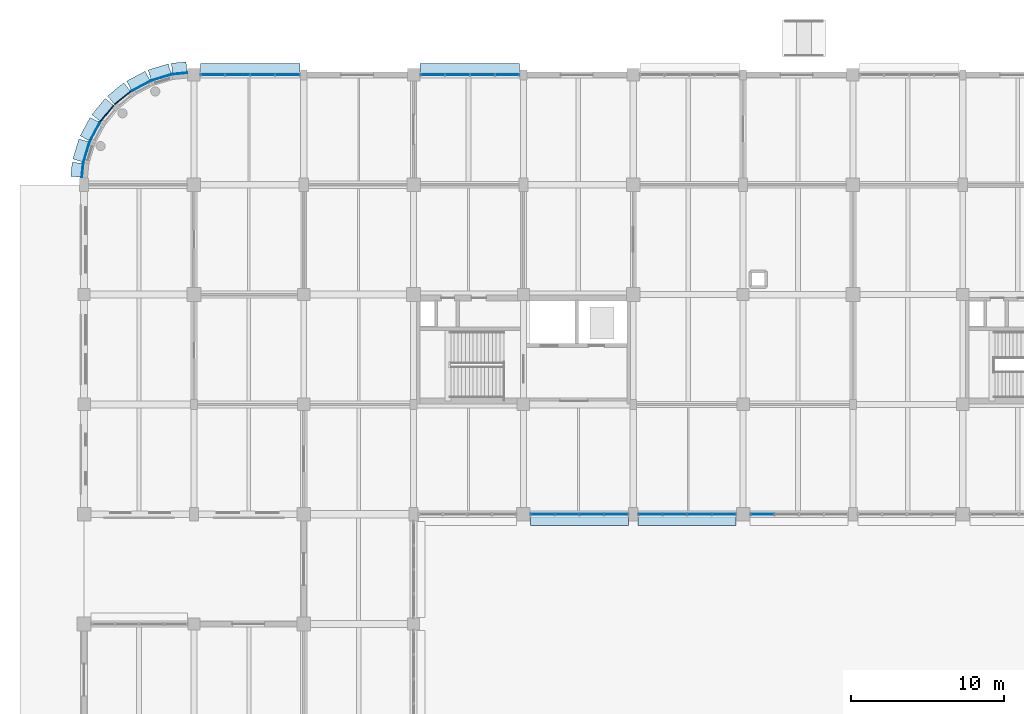
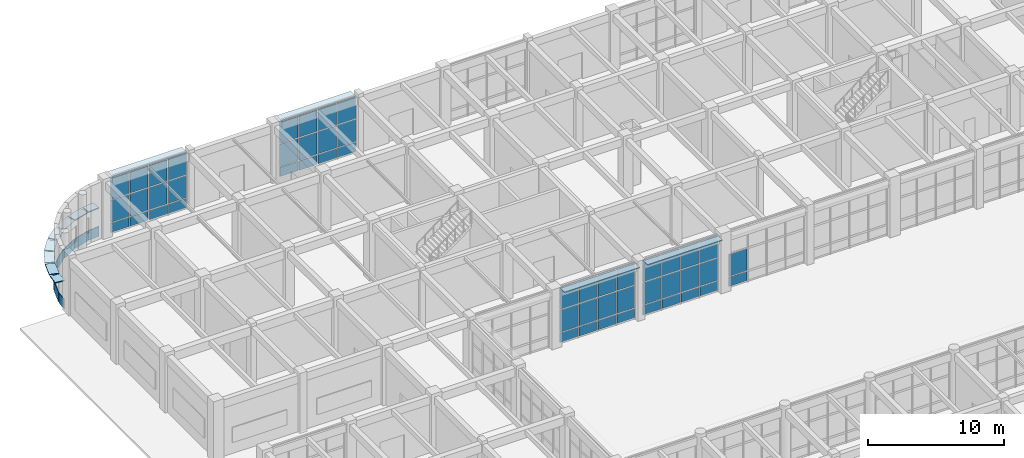
# One storey, part 124 of 160: 70 plates, 5 elements without a shape of their own.
"""IFC4 building model written with IfcOpenShell, lengths in metres."""

from ifc_helpers import new_model, si_unit, direction, frame, origin, origin_2d, place, context, subcontext, project, spatial, rectangle, extrude, material, layer, layer_set, type_object, element, aggregate, save


model = new_model("IFC4")

# Units and contexts
model_context = context("Model", 3, precision=1e-05, world=origin(), true_north=direction((0.0, 1.0)))
body_context = subcontext(model_context, "Body", "Model", "MODEL_VIEW")
ifc_project = project(units=[si_unit("LENGTHUNIT", "METRE"), si_unit("AREAUNIT", "SQUARE_METRE"), si_unit("VOLUMEUNIT", "CUBIC_METRE"), si_unit("PLANEANGLEUNIT", "RADIAN"), si_unit("MASSUNIT", "GRAM", prefix="KILO")], contexts=[model_context])

# Site, building, storey
site_placement = place(None, origin())
site = spatial("IfcSite", under=ifc_project, at=site_placement, CompositionType="ELEMENT")
building_placement = place(site_placement, origin())
building = spatial("IfcBuilding", under=site, at=building_placement, Name="Thalmaran Polytechnic", CompositionType="ELEMENT")
storey_placement = place(building_placement, origin())
storey = spatial("IfcBuildingStorey", under=building, at=storey_placement, Name="L00", CompositionType="ELEMENT", Elevation=0.0)

# Plates
ifc_material_1 = material(Name="Anodised aluminium spandrel band", Category="aluminium")
ifc_layer_1 = layer(ifc_material_1, 0.054931640625, Name="Anodised aluminium spandrel band")
ifc_layer_set_1 = layer_set([ifc_layer_1], Name="Anodised aluminium spandrel band")
plate_type_1 = type_object("IfcPlateType", Name="PT-BD01", PredefinedType="SHEET", material=ifc_layer_set_1)
plate_1_placement = place(storey_placement, frame((-0.102783203125, 116.145263671875, 0.02001953125), z_axis=(0.0, 0.0, 1.0), x_axis=(0.09801714033, 0.995184726672, 0.0)))
element("IfcPlate", 1, at=plate_1_placement, inside=storey, type_object=plate_type_1, Name="Streamline Horizontal Spandrel Band L00-021", PredefinedType="SHEET", context=body_context, shape_type="SweptSolid", body=[
    extrude(rectangle(XDim=0.92138671875, YDim=0.054931640625, at=origin_2d()), origin(), (0.0, 0.0, 1.0), 0.8798828125),
])
for number, where, z_axis, x_axis, name in (
    (2, (0.156494140625, 117.336669921875, 0.02001953125), (0.0, 0.0, 1.0), (0.290284677254, 0.956940335732, 0.0), "Streamline Horizontal Spandrel Band L00-022"),
    (3, (0.708740234375, 118.669677734375, 0.02001953125), (0.0, 0.0, 1.0), (0.471396736826, 0.881921264348, 0.0), "Streamline Horizontal Spandrel Band L00-023"),
    (4, (1.510498046875, 119.869384765625, 0.02001953125), (0.0, 0.0, 1.0), (0.634393284164, 0.773010453363, 0.0), "Streamline Horizontal Spandrel Band L00-024"),
    (5, (2.53076171875, 120.8896484375, 0.02001953125), (0.0, 0.0, 1.0), (0.773010453363, 0.634393284164, 0.0), "Streamline Horizontal Spandrel Band L00-025"),
    (6, (3.737548828125, 121.677978515625, 0.02001953125), (0.0, 0.0, 1.0), (0.881921264348, 0.471396736826, 0.0), "Streamline Horizontal Spandrel Band L00-026"),
    (7, (5.06787109375, 122.22900390625, 0.02001953125), (0.0, 0.0, 1.0), (0.956940335732, 0.290284677254, 0.0), "Streamline Horizontal Spandrel Band L00-027"),
):
    element("IfcPlate", number, at=place(storey_placement, frame(where, z_axis=z_axis, x_axis=x_axis)), inside=storey, type_object=plate_type_1, Name=name, PredefinedType="SHEET", context=body_context, shape_type="SweptSolid", body=[
        extrude(rectangle(XDim=1.371337890625, YDim=0.054931640625, at=origin_2d()), origin(), (0.0, 0.0, 1.0), 0.8798828125),
    ])
plate_2_placement = place(storey_placement, frame((6.276123046875, 122.48974609375, 0.02001953125), z_axis=(0.0, 0.0, 1.0), x_axis=(0.995184726672, 0.09801714033, 0.0)))
element("IfcPlate", 8, at=plate_2_placement, inside=storey, type_object=plate_type_1, Name="Streamline Horizontal Spandrel Band L00-028", PredefinedType="SHEET", context=body_context, shape_type="SweptSolid", body=[
    extrude(rectangle(XDim=0.96142578125, YDim=0.054931640625, at=origin_2d()), origin(), (0.0, 0.0, 1.0), 0.8798828125),
])
ifc_material_2 = material(Name="Anodised aluminium sun-hood eyebrow", Category="aluminium")
ifc_layer_2 = layer(ifc_material_2, 0.0849609375, Name="Anodised aluminium sun-hood eyebrow")
ifc_layer_set_2 = layer_set([ifc_layer_2], Name="Anodised aluminium sun-hood eyebrow")
plate_type_2 = type_object("IfcPlateType", Name="PT-EB01", PredefinedType="SHEET", material=ifc_layer_set_2)
plate_3_placement = place(storey_placement, frame((-0.4462890625, 116.17919921875, 2.517578125), z_axis=(0.0, 0.0, 1.0), x_axis=(0.09801714033, 0.995184726672, 0.0)))
element("IfcPlate", 9, at=plate_3_placement, inside=storey, type_object=plate_type_2, Name="Streamline Sun-Hood Eyebrow L00-021", PredefinedType="SHEET", context=body_context, shape_type="SweptSolid", body=[
    extrude(rectangle(XDim=0.92138671875, YDim=0.760009765625, at=origin_2d()), origin(), (0.0, 0.0, 1.0), 0.0849609375),
])
for number, where, z_axis, x_axis, name in (
    (10, (-0.173583984375, 117.436767578125, 2.517578125), (0.0, 0.0, 1.0), (0.290284677254, 0.956940335732, 0.0), "Streamline Sun-Hood Eyebrow L00-022"),
    (11, (0.404541015625, 118.832275390625, 2.517578125), (0.0, 0.0, 1.0), (0.471396736826, 0.881921264348, 0.0), "Streamline Sun-Hood Eyebrow L00-023"),
    (12, (1.24365234375, 120.088134765625, 2.517578125), (0.0, 0.0, 1.0), (0.634393284164, 0.773010453363, 0.0), "Streamline Sun-Hood Eyebrow L00-024"),
    (13, (2.311767578125, 121.15625, 2.517578125), (0.0, 0.0, 1.0), (0.773010453363, 0.634393284164, 0.0), "Streamline Sun-Hood Eyebrow L00-025"),
    (14, (3.57470703125, 121.982177734375, 2.517578125), (0.0, 0.0, 1.0), (0.881921264348, 0.471396736826, 0.0), "Streamline Sun-Hood Eyebrow L00-026"),
    (15, (4.967529296875, 122.55908203125, 2.517578125), (0.0, 0.0, 1.0), (0.956940335732, 0.290284677254, 0.0), "Streamline Sun-Hood Eyebrow L00-027"),
):
    element("IfcPlate", number, at=place(storey_placement, frame(where, z_axis=z_axis, x_axis=x_axis)), inside=storey, type_object=plate_type_2, Name=name, PredefinedType="SHEET", context=body_context, shape_type="SweptSolid", body=[
        extrude(rectangle(XDim=1.371337890625, YDim=0.760009765625, at=origin_2d()), origin(), (0.0, 0.0, 1.0), 0.0849609375),
    ])
plate_4_placement = place(storey_placement, frame((6.2421875, 122.833251953125, 2.517578125), z_axis=(0.0, 0.0, 1.0), x_axis=(0.995184726672, 0.09801714033, 0.0)))
element("IfcPlate", 16, at=plate_4_placement, inside=storey, type_object=plate_type_2, Name="Streamline Sun-Hood Eyebrow L00-028", PredefinedType="SHEET", context=body_context, shape_type="SweptSolid", body=[
    extrude(rectangle(XDim=0.96142578125, YDim=0.760009765625, at=origin_2d()), origin(), (0.0, 0.0, 1.0), 0.0849609375),
])
for number, where, z_axis, x_axis, name in (
    (17, (10.892578125, 122.760009765625, 4.987548828125), (0.0, 0.0, 1.0), (1.0, 0.0, 0.0), "Streamline Sun-Hood Eyebrow L00-CW002"),
    (18, (25.29248046875, 122.760009765625, 4.987548828125), (0.0, 0.0, 1.0), (1.0, 0.0, 0.0), "Streamline Sun-Hood Eyebrow L00-CW003"),
):
    element("IfcPlate", number, at=place(storey_placement, frame(where, z_axis=z_axis, x_axis=x_axis)), inside=storey, type_object=plate_type_2, Name=name, PredefinedType="SHEET", context=body_context, shape_type="SweptSolid", body=[
        extrude(rectangle(XDim=6.52490234375, YDim=0.760009765625, at=origin_2d()), origin(), (0.0, 0.0, 1.0), 0.0849609375),
    ])
for number, where, z_axis, x_axis, name in (
    (19, (39.530029296875, 93.239990234375, 4.987548828125), (0.0, 0.0, 1.0), (-1.0, 0.0, 0.0), "Streamline Sun-Hood Eyebrow L00-CW020"),
    (20, (32.469970703125, 93.239990234375, 4.987548828125), (0.0, 0.0, 1.0), (-1.0, 0.0, 0.0), "Streamline Sun-Hood Eyebrow L00-CW021"),
):
    element("IfcPlate", number, at=place(storey_placement, frame(where, z_axis=z_axis, x_axis=x_axis)), inside=storey, type_object=plate_type_2, Name=name, PredefinedType="SHEET", context=body_context, shape_type="SweptSolid", body=[
        extrude(rectangle(XDim=6.419921875, YDim=0.760009765625, at=origin_2d()), origin(), (0.0, 0.0, 1.0), 0.0849609375),
    ])

# Curtain wall, plates
ifc_material_3 = material(Name="Aluminium 6063-T6", Category="aluminium")
curtain_wall_type = type_object("IfcCurtainWallType", Name="CW-UC01", PredefinedType="USERDEFINED", material=ifc_material_3)
curtain_wall_1_placement = place(storey_placement, origin())
curtain_wall_1 = element("IfcCurtainWall", 21, at=curtain_wall_1_placement, inside=storey, type_object=curtain_wall_type, Name="Curtain Wall CW-L00-020", ObjectType="UNITISED CURTAIN WALL", PredefinedType="USERDEFINED")
ifc_material_4 = material(Name="Solar-control double low-E glass", Category="glass")
ifc_layer_3 = layer(ifc_material_4, 0.035888671875, Name="Solar-control double low-E glass")
ifc_layer_set_3 = layer_set([ifc_layer_3], Name="Solar-control double low-E glass")
plate_type_3 = type_object("IfcPlateType", Name="PT-GL01", PredefinedType="CURTAIN_PANEL", material=ifc_layer_set_3)
plate_5_placement = place(storey_placement, frame((41.952392578125, 93.60009765625, 1.0), z_axis=(0.0, 0.0, 1.0), x_axis=(-1.0, 0.0, 0.0)))
plate_5 = element("IfcPlate", 22, at=plate_5_placement, type_object=plate_type_3, Name="CW-L00-020 Vision Panel 1-2", PredefinedType="CURTAIN_PANEL", context=body_context, shape_type="SweptSolid", body=[
    extrude(rectangle(XDim=1.514892578125, YDim=0.035888671875, at=origin_2d()), origin(), (0.0, 0.0, 1.0), 1.985107421875),
])
plate_6_placement = place(storey_placement, frame((41.952392578125, 93.60009765625, 3.06494140625), z_axis=(0.0, 0.0, 1.0), x_axis=(-1.0, 0.0, 0.0)))
plate_6 = element("IfcPlate", 23, at=plate_6_placement, type_object=plate_type_3, Name="CW-L00-020 Vision Panel 1-3", PredefinedType="CURTAIN_PANEL", context=body_context, shape_type="SweptSolid", body=[
    extrude(rectangle(XDim=1.514892578125, YDim=0.035888671875, at=origin_2d()), origin(), (0.0, 0.0, 1.0), 1.925048828125),
])
plate_7_placement = place(storey_placement, frame((40.33740234375, 93.60009765625, 1.0), z_axis=(0.0, 0.0, 1.0), x_axis=(-1.0, 0.0, 0.0)))
plate_7 = element("IfcPlate", 24, at=plate_7_placement, type_object=plate_type_3, Name="CW-L00-020 Vision Panel 2-2", PredefinedType="CURTAIN_PANEL", context=body_context, shape_type="SweptSolid", body=[
    extrude(rectangle(XDim=1.514892578125, YDim=0.035888671875, at=origin_2d()), origin(), (0.0, 0.0, 1.0), 1.985107421875),
])
plate_8_placement = place(storey_placement, frame((40.33740234375, 93.60009765625, 3.06494140625), z_axis=(0.0, 0.0, 1.0), x_axis=(-1.0, 0.0, 0.0)))
plate_8 = element("IfcPlate", 25, at=plate_8_placement, type_object=plate_type_3, Name="CW-L00-020 Vision Panel 2-3", PredefinedType="CURTAIN_PANEL", context=body_context, shape_type="SweptSolid", body=[
    extrude(rectangle(XDim=1.514892578125, YDim=0.035888671875, at=origin_2d()), origin(), (0.0, 0.0, 1.0), 1.925048828125),
])
plate_9_placement = place(storey_placement, frame((38.722412109375, 93.60009765625, 1.0), z_axis=(0.0, 0.0, 1.0), x_axis=(-1.0, 0.0, 0.0)))
plate_9 = element("IfcPlate", 26, at=plate_9_placement, type_object=plate_type_3, Name="CW-L00-020 Vision Panel 3-2", PredefinedType="CURTAIN_PANEL", context=body_context, shape_type="SweptSolid", body=[
    extrude(rectangle(XDim=1.514892578125, YDim=0.035888671875, at=origin_2d()), origin(), (0.0, 0.0, 1.0), 1.985107421875),
])
plate_10_placement = place(storey_placement, frame((38.722412109375, 93.60009765625, 3.06494140625), z_axis=(0.0, 0.0, 1.0), x_axis=(-1.0, 0.0, 0.0)))
plate_10 = element("IfcPlate", 27, at=plate_10_placement, type_object=plate_type_3, Name="CW-L00-020 Vision Panel 3-3", PredefinedType="CURTAIN_PANEL", context=body_context, shape_type="SweptSolid", body=[
    extrude(rectangle(XDim=1.514892578125, YDim=0.035888671875, at=origin_2d()), origin(), (0.0, 0.0, 1.0), 1.925048828125),
])
plate_11_placement = place(storey_placement, frame((37.107421875, 93.60009765625, 1.0), z_axis=(0.0, 0.0, 1.0), x_axis=(-1.0, 0.0, 0.0)))
plate_11 = element("IfcPlate", 28, at=plate_11_placement, type_object=plate_type_3, Name="CW-L00-020 Vision Panel 4-2", PredefinedType="CURTAIN_PANEL", context=body_context, shape_type="SweptSolid", body=[
    extrude(rectangle(XDim=1.514892578125, YDim=0.035888671875, at=origin_2d()), origin(), (0.0, 0.0, 1.0), 1.985107421875),
])
plate_12_placement = place(storey_placement, frame((37.107421875, 93.60009765625, 3.06494140625), z_axis=(0.0, 0.0, 1.0), x_axis=(-1.0, 0.0, 0.0)))
plate_12 = element("IfcPlate", 29, at=plate_12_placement, type_object=plate_type_3, Name="CW-L00-020 Vision Panel 4-3", PredefinedType="CURTAIN_PANEL", context=body_context, shape_type="SweptSolid", body=[
    extrude(rectangle(XDim=1.514892578125, YDim=0.035888671875, at=origin_2d()), origin(), (0.0, 0.0, 1.0), 1.925048828125),
])

curtain_wall_2_placement = place(storey_placement, origin())
curtain_wall_2 = element("IfcCurtainWall", 30, at=curtain_wall_2_placement, inside=storey, type_object=curtain_wall_type, Name="Curtain Wall CW-L00-021", ObjectType="UNITISED CURTAIN WALL", PredefinedType="USERDEFINED")
ifc_layer_4 = layer(ifc_material_4, 0.035888671875, Name="Solar-control double low-E glass")
ifc_layer_set_4 = layer_set([ifc_layer_4], Name="Solar-control double low-E glass")
plate_type_4 = type_object("IfcPlateType", Name="PT-GL02", PredefinedType="CURTAIN_PANEL", material=ifc_layer_set_4)
plate_13_placement = place(storey_placement, frame((34.892578125, 93.60009765625, 1.0), z_axis=(0.0, 0.0, 1.0), x_axis=(-1.0, 0.0, 0.0)))
plate_13 = element("IfcPlate", 31, at=plate_13_placement, type_object=plate_type_4, Name="CW-L00-021 Vision Panel 1-2", PredefinedType="CURTAIN_PANEL", context=body_context, shape_type="SweptSolid", body=[
    extrude(rectangle(XDim=1.514892578125, YDim=0.035888671875, at=origin_2d()), origin(), (0.0, 0.0, 1.0), 1.985107421875),
])
plate_14_placement = place(storey_placement, frame((34.892578125, 93.60009765625, 3.06494140625), z_axis=(0.0, 0.0, 1.0), x_axis=(-1.0, 0.0, 0.0)))
plate_14 = element("IfcPlate", 32, at=plate_14_placement, type_object=plate_type_4, Name="CW-L00-021 Vision Panel 1-3", PredefinedType="CURTAIN_PANEL", context=body_context, shape_type="SweptSolid", body=[
    extrude(rectangle(XDim=1.514892578125, YDim=0.035888671875, at=origin_2d()), origin(), (0.0, 0.0, 1.0), 1.925048828125),
])
plate_15_placement = place(storey_placement, frame((33.277587890625, 93.60009765625, 1.0), z_axis=(0.0, 0.0, 1.0), x_axis=(-1.0, 0.0, 0.0)))
plate_15 = element("IfcPlate", 33, at=plate_15_placement, type_object=plate_type_4, Name="CW-L00-021 Vision Panel 2-2", PredefinedType="CURTAIN_PANEL", context=body_context, shape_type="SweptSolid", body=[
    extrude(rectangle(XDim=1.514892578125, YDim=0.035888671875, at=origin_2d()), origin(), (0.0, 0.0, 1.0), 1.985107421875),
])
plate_16_placement = place(storey_placement, frame((33.277587890625, 93.60009765625, 3.06494140625), z_axis=(0.0, 0.0, 1.0), x_axis=(-1.0, 0.0, 0.0)))
plate_16 = element("IfcPlate", 34, at=plate_16_placement, type_object=plate_type_4, Name="CW-L00-021 Vision Panel 2-3", PredefinedType="CURTAIN_PANEL", context=body_context, shape_type="SweptSolid", body=[
    extrude(rectangle(XDim=1.514892578125, YDim=0.035888671875, at=origin_2d()), origin(), (0.0, 0.0, 1.0), 1.925048828125),
])
plate_17_placement = place(storey_placement, frame((31.66259765625, 93.60009765625, 1.0), z_axis=(0.0, 0.0, 1.0), x_axis=(-1.0, 0.0, 0.0)))
plate_17 = element("IfcPlate", 35, at=plate_17_placement, type_object=plate_type_4, Name="CW-L00-021 Vision Panel 3-2", PredefinedType="CURTAIN_PANEL", context=body_context, shape_type="SweptSolid", body=[
    extrude(rectangle(XDim=1.514892578125, YDim=0.035888671875, at=origin_2d()), origin(), (0.0, 0.0, 1.0), 1.985107421875),
])
plate_18_placement = place(storey_placement, frame((31.66259765625, 93.60009765625, 3.06494140625), z_axis=(0.0, 0.0, 1.0), x_axis=(-1.0, 0.0, 0.0)))
plate_18 = element("IfcPlate", 36, at=plate_18_placement, type_object=plate_type_4, Name="CW-L00-021 Vision Panel 3-3", PredefinedType="CURTAIN_PANEL", context=body_context, shape_type="SweptSolid", body=[
    extrude(rectangle(XDim=1.514892578125, YDim=0.035888671875, at=origin_2d()), origin(), (0.0, 0.0, 1.0), 1.925048828125),
])
plate_19_placement = place(storey_placement, frame((30.047607421875, 93.60009765625, 1.0), z_axis=(0.0, 0.0, 1.0), x_axis=(-1.0, 0.0, 0.0)))
plate_19 = element("IfcPlate", 37, at=plate_19_placement, type_object=plate_type_4, Name="CW-L00-021 Vision Panel 4-2", PredefinedType="CURTAIN_PANEL", context=body_context, shape_type="SweptSolid", body=[
    extrude(rectangle(XDim=1.514892578125, YDim=0.035888671875, at=origin_2d()), origin(), (0.0, 0.0, 1.0), 1.985107421875),
])
plate_20_placement = place(storey_placement, frame((30.047607421875, 93.60009765625, 3.06494140625), z_axis=(0.0, 0.0, 1.0), x_axis=(-1.0, 0.0, 0.0)))
plate_20 = element("IfcPlate", 38, at=plate_20_placement, type_object=plate_type_4, Name="CW-L00-021 Vision Panel 4-3", PredefinedType="CURTAIN_PANEL", context=body_context, shape_type="SweptSolid", body=[
    extrude(rectangle(XDim=1.514892578125, YDim=0.035888671875, at=origin_2d()), origin(), (0.0, 0.0, 1.0), 1.925048828125),
])

curtain_wall_3_placement = place(storey_placement, origin())
curtain_wall_3 = element("IfcCurtainWall", 39, at=curtain_wall_3_placement, inside=storey, type_object=curtain_wall_type, Name="Curtain Wall CW-L00-002", ObjectType="UNITISED CURTAIN WALL", PredefinedType="USERDEFINED")
ifc_layer_5 = layer(ifc_material_4, 0.035888671875, Name="Solar-control double low-E glass")
ifc_layer_set_5 = layer_set([ifc_layer_5], Name="Solar-control double low-E glass")
plate_type_5 = type_object("IfcPlateType", Name="PT-GL03", PredefinedType="CURTAIN_PANEL", material=ifc_layer_set_5)
plate_21_placement = place(storey_placement, frame((8.4306640625, 122.39990234375, 1.0), z_axis=(0.0, 0.0, 1.0), x_axis=(1.0, 0.0, 0.0)))
plate_21 = element("IfcPlate", 40, at=plate_21_placement, type_object=plate_type_5, Name="CW-L00-002 Vision Panel 1-2", PredefinedType="CURTAIN_PANEL", context=body_context, shape_type="SweptSolid", body=[
    extrude(rectangle(XDim=1.541259765625, YDim=0.035888671875, at=origin_2d()), origin(), (0.0, 0.0, 1.0), 1.985107421875),
])
plate_22_placement = place(storey_placement, frame((8.4306640625, 122.39990234375, 3.06494140625), z_axis=(0.0, 0.0, 1.0), x_axis=(1.0, 0.0, 0.0)))
plate_22 = element("IfcPlate", 41, at=plate_22_placement, type_object=plate_type_5, Name="CW-L00-002 Vision Panel 1-3", PredefinedType="CURTAIN_PANEL", context=body_context, shape_type="SweptSolid", body=[
    extrude(rectangle(XDim=1.541259765625, YDim=0.035888671875, at=origin_2d()), origin(), (0.0, 0.0, 1.0), 1.925048828125),
])
plate_23_placement = place(storey_placement, frame((10.07177734375, 122.39990234375, 1.0), z_axis=(0.0, 0.0, 1.0), x_axis=(1.0, 0.0, 0.0)))
plate_23 = element("IfcPlate", 42, at=plate_23_placement, type_object=plate_type_5, Name="CW-L00-002 Vision Panel 2-2", PredefinedType="CURTAIN_PANEL", context=body_context, shape_type="SweptSolid", body=[
    extrude(rectangle(XDim=1.541259765625, YDim=0.035888671875, at=origin_2d()), origin(), (0.0, 0.0, 1.0), 1.985107421875),
])
plate_24_placement = place(storey_placement, frame((10.07177734375, 122.39990234375, 3.06494140625), z_axis=(0.0, 0.0, 1.0), x_axis=(1.0, 0.0, 0.0)))
plate_24 = element("IfcPlate", 43, at=plate_24_placement, type_object=plate_type_5, Name="CW-L00-002 Vision Panel 2-3", PredefinedType="CURTAIN_PANEL", context=body_context, shape_type="SweptSolid", body=[
    extrude(rectangle(XDim=1.541259765625, YDim=0.035888671875, at=origin_2d()), origin(), (0.0, 0.0, 1.0), 1.925048828125),
])
plate_25_placement = place(storey_placement, frame((11.713134765625, 122.39990234375, 1.0), z_axis=(0.0, 0.0, 1.0), x_axis=(1.0, 0.0, 0.0)))
plate_25 = element("IfcPlate", 44, at=plate_25_placement, type_object=plate_type_5, Name="CW-L00-002 Vision Panel 3-2", PredefinedType="CURTAIN_PANEL", context=body_context, shape_type="SweptSolid", body=[
    extrude(rectangle(XDim=1.541259765625, YDim=0.035888671875, at=origin_2d()), origin(), (0.0, 0.0, 1.0), 1.985107421875),
])
plate_26_placement = place(storey_placement, frame((11.713134765625, 122.39990234375, 3.06494140625), z_axis=(0.0, 0.0, 1.0), x_axis=(1.0, 0.0, 0.0)))
plate_26 = element("IfcPlate", 45, at=plate_26_placement, type_object=plate_type_5, Name="CW-L00-002 Vision Panel 3-3", PredefinedType="CURTAIN_PANEL", context=body_context, shape_type="SweptSolid", body=[
    extrude(rectangle(XDim=1.541259765625, YDim=0.035888671875, at=origin_2d()), origin(), (0.0, 0.0, 1.0), 1.925048828125),
])
plate_27_placement = place(storey_placement, frame((13.3544921875, 122.39990234375, 1.0), z_axis=(0.0, 0.0, 1.0), x_axis=(1.0, 0.0, 0.0)))
plate_27 = element("IfcPlate", 46, at=plate_27_placement, type_object=plate_type_5, Name="CW-L00-002 Vision Panel 4-2", PredefinedType="CURTAIN_PANEL", context=body_context, shape_type="SweptSolid", body=[
    extrude(rectangle(XDim=1.541259765625, YDim=0.035888671875, at=origin_2d()), origin(), (0.0, 0.0, 1.0), 1.985107421875),
])
plate_28_placement = place(storey_placement, frame((13.3544921875, 122.39990234375, 3.06494140625), z_axis=(0.0, 0.0, 1.0), x_axis=(1.0, 0.0, 0.0)))
plate_28 = element("IfcPlate", 47, at=plate_28_placement, type_object=plate_type_5, Name="CW-L00-002 Vision Panel 4-3", PredefinedType="CURTAIN_PANEL", context=body_context, shape_type="SweptSolid", body=[
    extrude(rectangle(XDim=1.541259765625, YDim=0.035888671875, at=origin_2d()), origin(), (0.0, 0.0, 1.0), 1.925048828125),
])

curtain_wall_4_placement = place(storey_placement, origin())
curtain_wall_4 = element("IfcCurtainWall", 48, at=curtain_wall_4_placement, inside=storey, type_object=curtain_wall_type, Name="Curtain Wall CW-L00-003", ObjectType="UNITISED CURTAIN WALL", PredefinedType="USERDEFINED")
ifc_layer_6 = layer(ifc_material_4, 0.035888671875, Name="Solar-control double low-E glass")
ifc_layer_set_6 = layer_set([ifc_layer_6], Name="Solar-control double low-E glass")
plate_type_6 = type_object("IfcPlateType", Name="PT-GL04", PredefinedType="CURTAIN_PANEL", material=ifc_layer_set_6)
plate_29_placement = place(storey_placement, frame((22.83056640625, 122.39990234375, 1.0), z_axis=(0.0, 0.0, 1.0), x_axis=(1.0, 0.0, 0.0)))
plate_29 = element("IfcPlate", 49, at=plate_29_placement, type_object=plate_type_6, Name="CW-L00-003 Vision Panel 1-2", PredefinedType="CURTAIN_PANEL", context=body_context, shape_type="SweptSolid", body=[
    extrude(rectangle(XDim=1.541259765625, YDim=0.035888671875, at=origin_2d()), origin(), (0.0, 0.0, 1.0), 1.985107421875),
])
plate_30_placement = place(storey_placement, frame((22.83056640625, 122.39990234375, 3.06494140625), z_axis=(0.0, 0.0, 1.0), x_axis=(1.0, 0.0, 0.0)))
plate_30 = element("IfcPlate", 50, at=plate_30_placement, type_object=plate_type_6, Name="CW-L00-003 Vision Panel 1-3", PredefinedType="CURTAIN_PANEL", context=body_context, shape_type="SweptSolid", body=[
    extrude(rectangle(XDim=1.541259765625, YDim=0.035888671875, at=origin_2d()), origin(), (0.0, 0.0, 1.0), 1.925048828125),
])
plate_31_placement = place(storey_placement, frame((24.471923828125, 122.39990234375, 1.0), z_axis=(0.0, 0.0, 1.0), x_axis=(1.0, 0.0, 0.0)))
plate_31 = element("IfcPlate", 51, at=plate_31_placement, type_object=plate_type_6, Name="CW-L00-003 Vision Panel 2-2", PredefinedType="CURTAIN_PANEL", context=body_context, shape_type="SweptSolid", body=[
    extrude(rectangle(XDim=1.541259765625, YDim=0.035888671875, at=origin_2d()), origin(), (0.0, 0.0, 1.0), 1.985107421875),
])
plate_32_placement = place(storey_placement, frame((24.471923828125, 122.39990234375, 3.06494140625), z_axis=(0.0, 0.0, 1.0), x_axis=(1.0, 0.0, 0.0)))
plate_32 = element("IfcPlate", 52, at=plate_32_placement, type_object=plate_type_6, Name="CW-L00-003 Vision Panel 2-3", PredefinedType="CURTAIN_PANEL", context=body_context, shape_type="SweptSolid", body=[
    extrude(rectangle(XDim=1.541259765625, YDim=0.035888671875, at=origin_2d()), origin(), (0.0, 0.0, 1.0), 1.925048828125),
])
plate_33_placement = place(storey_placement, frame((26.113037109375, 122.39990234375, 1.0), z_axis=(0.0, 0.0, 1.0), x_axis=(1.0, 0.0, 0.0)))
plate_33 = element("IfcPlate", 53, at=plate_33_placement, type_object=plate_type_6, Name="CW-L00-003 Vision Panel 3-2", PredefinedType="CURTAIN_PANEL", context=body_context, shape_type="SweptSolid", body=[
    extrude(rectangle(XDim=1.541259765625, YDim=0.035888671875, at=origin_2d()), origin(), (0.0, 0.0, 1.0), 1.985107421875),
])
plate_34_placement = place(storey_placement, frame((26.113037109375, 122.39990234375, 3.06494140625), z_axis=(0.0, 0.0, 1.0), x_axis=(1.0, 0.0, 0.0)))
plate_34 = element("IfcPlate", 54, at=plate_34_placement, type_object=plate_type_6, Name="CW-L00-003 Vision Panel 3-3", PredefinedType="CURTAIN_PANEL", context=body_context, shape_type="SweptSolid", body=[
    extrude(rectangle(XDim=1.541259765625, YDim=0.035888671875, at=origin_2d()), origin(), (0.0, 0.0, 1.0), 1.925048828125),
])
plate_35_placement = place(storey_placement, frame((27.75439453125, 122.39990234375, 1.0), z_axis=(0.0, 0.0, 1.0), x_axis=(1.0, 0.0, 0.0)))
plate_35 = element("IfcPlate", 55, at=plate_35_placement, type_object=plate_type_6, Name="CW-L00-003 Vision Panel 4-2", PredefinedType="CURTAIN_PANEL", context=body_context, shape_type="SweptSolid", body=[
    extrude(rectangle(XDim=1.541259765625, YDim=0.035888671875, at=origin_2d()), origin(), (0.0, 0.0, 1.0), 1.985107421875),
])
plate_36_placement = place(storey_placement, frame((27.75439453125, 122.39990234375, 3.06494140625), z_axis=(0.0, 0.0, 1.0), x_axis=(1.0, 0.0, 0.0)))
plate_36 = element("IfcPlate", 56, at=plate_36_placement, type_object=plate_type_6, Name="CW-L00-003 Vision Panel 4-3", PredefinedType="CURTAIN_PANEL", context=body_context, shape_type="SweptSolid", body=[
    extrude(rectangle(XDim=1.541259765625, YDim=0.035888671875, at=origin_2d()), origin(), (0.0, 0.0, 1.0), 1.925048828125),
])

# Curtain wall, plate
curtain_wall_5_placement = place(storey_placement, origin())
curtain_wall_5 = element("IfcCurtainWall", 57, at=curtain_wall_5_placement, inside=storey, type_object=curtain_wall_type, Name="Curtain Wall CW-L00-019", ObjectType="UNITISED CURTAIN WALL", PredefinedType="USERDEFINED")
ifc_layer_7 = layer(ifc_material_4, 0.035888671875, Name="Solar-control double low-E glass")
ifc_layer_set_7 = layer_set([ifc_layer_7], Name="Solar-control double low-E glass")
plate_type_7 = type_object("IfcPlateType", Name="PT-GL05", PredefinedType="CURTAIN_PANEL", material=ifc_layer_set_7)
plate_37_placement = place(storey_placement, frame((44.447509765625, 93.60009765625, 1.0), z_axis=(0.0, 0.0, 1.0), x_axis=(-1.0, 0.0, 0.0)))
plate_37 = element("IfcPlate", 58, at=plate_37_placement, type_object=plate_type_7, Name="CW-L00-019 Vision Panel 4-2", PredefinedType="CURTAIN_PANEL", context=body_context, shape_type="SweptSolid", body=[
    extrude(rectangle(XDim=1.514892578125, YDim=0.035888671875, at=origin_2d()), origin(), (0.0, 0.0, 1.0), 1.985107421875),
])

# Plate
ifc_material_5 = material(Name="Insulated anodised aluminium spandrel", Category="aluminium")
ifc_layer_8 = layer(ifc_material_5, 0.06005859375, Name="Insulated anodised aluminium spandrel")
ifc_layer_set_8 = layer_set([ifc_layer_8], Name="Insulated anodised aluminium spandrel")
plate_type_8 = type_object("IfcPlateType", Name="PT-SP01", PredefinedType="CURTAIN_PANEL", material=ifc_layer_set_8)
plate_38_placement = place(storey_placement, frame((22.83056640625, 122.39990234375, 0.10009765625), z_axis=(0.0, 0.0, 1.0), x_axis=(1.0, 0.0, 0.0)))
plate_38 = element("IfcPlate", 59, at=plate_38_placement, type_object=plate_type_8, Name="CW-L00-003 Spandrel Panel 1-1", PredefinedType="CURTAIN_PANEL", context=body_context, shape_type="SweptSolid", body=[
    extrude(rectangle(XDim=1.541259765625, YDim=0.06005859375, at=origin_2d()), origin(), (0.0, 0.0, 1.0), 0.820068359375),
])

plate_39_placement = place(storey_placement, frame((24.471923828125, 122.39990234375, 0.10009765625), z_axis=(0.0, 0.0, 1.0), x_axis=(1.0, 0.0, 0.0)))
plate_39 = element("IfcPlate", 60, at=plate_39_placement, type_object=plate_type_8, Name="CW-L00-003 Spandrel Panel 2-1", PredefinedType="CURTAIN_PANEL", context=body_context, shape_type="SweptSolid", body=[
    extrude(rectangle(XDim=1.541259765625, YDim=0.06005859375, at=origin_2d()), origin(), (0.0, 0.0, 1.0), 0.820068359375),
])

plate_40_placement = place(storey_placement, frame((26.113037109375, 122.39990234375, 0.10009765625), z_axis=(0.0, 0.0, 1.0), x_axis=(1.0, 0.0, 0.0)))
plate_40 = element("IfcPlate", 61, at=plate_40_placement, type_object=plate_type_8, Name="CW-L00-003 Spandrel Panel 3-1", PredefinedType="CURTAIN_PANEL", context=body_context, shape_type="SweptSolid", body=[
    extrude(rectangle(XDim=1.541259765625, YDim=0.06005859375, at=origin_2d()), origin(), (0.0, 0.0, 1.0), 0.820068359375),
])

plate_41_placement = place(storey_placement, frame((27.75439453125, 122.39990234375, 0.10009765625), z_axis=(0.0, 0.0, 1.0), x_axis=(1.0, 0.0, 0.0)))
plate_41 = element("IfcPlate", 62, at=plate_41_placement, type_object=plate_type_8, Name="CW-L00-003 Spandrel Panel 4-1", PredefinedType="CURTAIN_PANEL", context=body_context, shape_type="SweptSolid", body=[
    extrude(rectangle(XDim=1.541259765625, YDim=0.06005859375, at=origin_2d()), origin(), (0.0, 0.0, 1.0), 0.820068359375),
])

aggregate(curtain_wall_4, [plate_38, plate_29, plate_30, plate_39, plate_31, plate_32, plate_40, plate_33, plate_34, plate_41, plate_35, plate_36])

plate_42_placement = place(storey_placement, frame((34.892578125, 93.60009765625, 0.10009765625), z_axis=(0.0, 0.0, 1.0), x_axis=(-1.0, 0.0, 0.0)))
plate_42 = element("IfcPlate", 63, at=plate_42_placement, type_object=plate_type_8, Name="CW-L00-021 Spandrel Panel 1-1", PredefinedType="CURTAIN_PANEL", context=body_context, shape_type="SweptSolid", body=[
    extrude(rectangle(XDim=1.514892578125, YDim=0.06005859375, at=origin_2d()), origin(), (0.0, 0.0, 1.0), 0.820068359375),
])

plate_43_placement = place(storey_placement, frame((33.277587890625, 93.60009765625, 0.10009765625), z_axis=(0.0, 0.0, 1.0), x_axis=(-1.0, 0.0, 0.0)))
plate_43 = element("IfcPlate", 64, at=plate_43_placement, type_object=plate_type_8, Name="CW-L00-021 Spandrel Panel 2-1", PredefinedType="CURTAIN_PANEL", context=body_context, shape_type="SweptSolid", body=[
    extrude(rectangle(XDim=1.514892578125, YDim=0.06005859375, at=origin_2d()), origin(), (0.0, 0.0, 1.0), 0.820068359375),
])

plate_44_placement = place(storey_placement, frame((31.66259765625, 93.60009765625, 0.10009765625), z_axis=(0.0, 0.0, 1.0), x_axis=(-1.0, 0.0, 0.0)))
plate_44 = element("IfcPlate", 65, at=plate_44_placement, type_object=plate_type_8, Name="CW-L00-021 Spandrel Panel 3-1", PredefinedType="CURTAIN_PANEL", context=body_context, shape_type="SweptSolid", body=[
    extrude(rectangle(XDim=1.514892578125, YDim=0.06005859375, at=origin_2d()), origin(), (0.0, 0.0, 1.0), 0.820068359375),
])

plate_45_placement = place(storey_placement, frame((30.047607421875, 93.60009765625, 0.10009765625), z_axis=(0.0, 0.0, 1.0), x_axis=(-1.0, 0.0, 0.0)))
plate_45 = element("IfcPlate", 66, at=plate_45_placement, type_object=plate_type_8, Name="CW-L00-021 Spandrel Panel 4-1", PredefinedType="CURTAIN_PANEL", context=body_context, shape_type="SweptSolid", body=[
    extrude(rectangle(XDim=1.514892578125, YDim=0.06005859375, at=origin_2d()), origin(), (0.0, 0.0, 1.0), 0.820068359375),
])

aggregate(curtain_wall_2, [plate_42, plate_13, plate_14, plate_43, plate_15, plate_16, plate_44, plate_17, plate_18, plate_45, plate_19, plate_20])

ifc_layer_9 = layer(ifc_material_5, 0.06005859375, Name="Insulated anodised aluminium spandrel")
ifc_layer_set_9 = layer_set([ifc_layer_9], Name="Insulated anodised aluminium spandrel")
plate_type_9 = type_object("IfcPlateType", Name="PT-SP02", PredefinedType="CURTAIN_PANEL", material=ifc_layer_set_9)
plate_46_placement = place(storey_placement, frame((44.447509765625, 93.60009765625, 0.10009765625), z_axis=(0.0, 0.0, 1.0), x_axis=(-1.0, 0.0, 0.0)))
plate_46 = element("IfcPlate", 67, at=plate_46_placement, type_object=plate_type_9, Name="CW-L00-019 Spandrel Panel 4-1", PredefinedType="CURTAIN_PANEL", context=body_context, shape_type="SweptSolid", body=[
    extrude(rectangle(XDim=1.514892578125, YDim=0.06005859375, at=origin_2d()), origin(), (0.0, 0.0, 1.0), 0.820068359375),
])

aggregate(curtain_wall_5, [plate_46, plate_37])

ifc_layer_10 = layer(ifc_material_5, 0.06005859375, Name="Insulated anodised aluminium spandrel")
ifc_layer_set_10 = layer_set([ifc_layer_10], Name="Insulated anodised aluminium spandrel")
plate_type_10 = type_object("IfcPlateType", Name="PT-SP03", PredefinedType="CURTAIN_PANEL", material=ifc_layer_set_10)
plate_47_placement = place(storey_placement, frame((8.4306640625, 122.39990234375, 0.10009765625), z_axis=(0.0, 0.0, 1.0), x_axis=(1.0, 0.0, 0.0)))
plate_47 = element("IfcPlate", 68, at=plate_47_placement, type_object=plate_type_10, Name="CW-L00-002 Spandrel Panel 1-1", PredefinedType="CURTAIN_PANEL", context=body_context, shape_type="SweptSolid", body=[
    extrude(rectangle(XDim=1.541259765625, YDim=0.06005859375, at=origin_2d()), origin(), (0.0, 0.0, 1.0), 0.820068359375),
])

plate_48_placement = place(storey_placement, frame((10.07177734375, 122.39990234375, 0.10009765625), z_axis=(0.0, 0.0, 1.0), x_axis=(1.0, 0.0, 0.0)))
plate_48 = element("IfcPlate", 69, at=plate_48_placement, type_object=plate_type_10, Name="CW-L00-002 Spandrel Panel 2-1", PredefinedType="CURTAIN_PANEL", context=body_context, shape_type="SweptSolid", body=[
    extrude(rectangle(XDim=1.541259765625, YDim=0.06005859375, at=origin_2d()), origin(), (0.0, 0.0, 1.0), 0.820068359375),
])

plate_49_placement = place(storey_placement, frame((11.713134765625, 122.39990234375, 0.10009765625), z_axis=(0.0, 0.0, 1.0), x_axis=(1.0, 0.0, 0.0)))
plate_49 = element("IfcPlate", 70, at=plate_49_placement, type_object=plate_type_10, Name="CW-L00-002 Spandrel Panel 3-1", PredefinedType="CURTAIN_PANEL", context=body_context, shape_type="SweptSolid", body=[
    extrude(rectangle(XDim=1.541259765625, YDim=0.06005859375, at=origin_2d()), origin(), (0.0, 0.0, 1.0), 0.820068359375),
])

plate_50_placement = place(storey_placement, frame((13.3544921875, 122.39990234375, 0.10009765625), z_axis=(0.0, 0.0, 1.0), x_axis=(1.0, 0.0, 0.0)))
plate_50 = element("IfcPlate", 71, at=plate_50_placement, type_object=plate_type_10, Name="CW-L00-002 Spandrel Panel 4-1", PredefinedType="CURTAIN_PANEL", context=body_context, shape_type="SweptSolid", body=[
    extrude(rectangle(XDim=1.541259765625, YDim=0.06005859375, at=origin_2d()), origin(), (0.0, 0.0, 1.0), 0.820068359375),
])

aggregate(curtain_wall_3, [plate_47, plate_21, plate_22, plate_48, plate_23, plate_24, plate_49, plate_25, plate_26, plate_50, plate_27, plate_28])

plate_51_placement = place(storey_placement, frame((41.952392578125, 93.60009765625, 0.10009765625), z_axis=(0.0, 0.0, 1.0), x_axis=(-1.0, 0.0, 0.0)))
plate_51 = element("IfcPlate", 72, at=plate_51_placement, type_object=plate_type_10, Name="CW-L00-020 Spandrel Panel 1-1", PredefinedType="CURTAIN_PANEL", context=body_context, shape_type="SweptSolid", body=[
    extrude(rectangle(XDim=1.514892578125, YDim=0.06005859375, at=origin_2d()), origin(), (0.0, 0.0, 1.0), 0.820068359375),
])

plate_52_placement = place(storey_placement, frame((40.33740234375, 93.60009765625, 0.10009765625), z_axis=(0.0, 0.0, 1.0), x_axis=(-1.0, 0.0, 0.0)))
plate_52 = element("IfcPlate", 73, at=plate_52_placement, type_object=plate_type_10, Name="CW-L00-020 Spandrel Panel 2-1", PredefinedType="CURTAIN_PANEL", context=body_context, shape_type="SweptSolid", body=[
    extrude(rectangle(XDim=1.514892578125, YDim=0.06005859375, at=origin_2d()), origin(), (0.0, 0.0, 1.0), 0.820068359375),
])

plate_53_placement = place(storey_placement, frame((38.722412109375, 93.60009765625, 0.10009765625), z_axis=(0.0, 0.0, 1.0), x_axis=(-1.0, 0.0, 0.0)))
plate_53 = element("IfcPlate", 74, at=plate_53_placement, type_object=plate_type_10, Name="CW-L00-020 Spandrel Panel 3-1", PredefinedType="CURTAIN_PANEL", context=body_context, shape_type="SweptSolid", body=[
    extrude(rectangle(XDim=1.514892578125, YDim=0.06005859375, at=origin_2d()), origin(), (0.0, 0.0, 1.0), 0.820068359375),
])

plate_54_placement = place(storey_placement, frame((37.107421875, 93.60009765625, 0.10009765625), z_axis=(0.0, 0.0, 1.0), x_axis=(-1.0, 0.0, 0.0)))
plate_54 = element("IfcPlate", 75, at=plate_54_placement, type_object=plate_type_10, Name="CW-L00-020 Spandrel Panel 4-1", PredefinedType="CURTAIN_PANEL", context=body_context, shape_type="SweptSolid", body=[
    extrude(rectangle(XDim=1.514892578125, YDim=0.06005859375, at=origin_2d()), origin(), (0.0, 0.0, 1.0), 0.820068359375),
])

aggregate(curtain_wall_1, [plate_51, plate_5, plate_6, plate_52, plate_7, plate_8, plate_53, plate_9, plate_10, plate_54, plate_11, plate_12])

save(model, "model.ifc")
